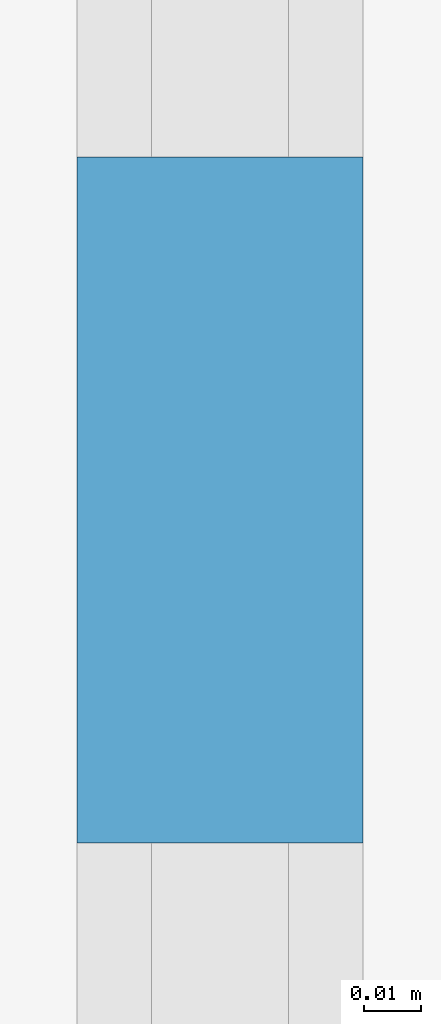
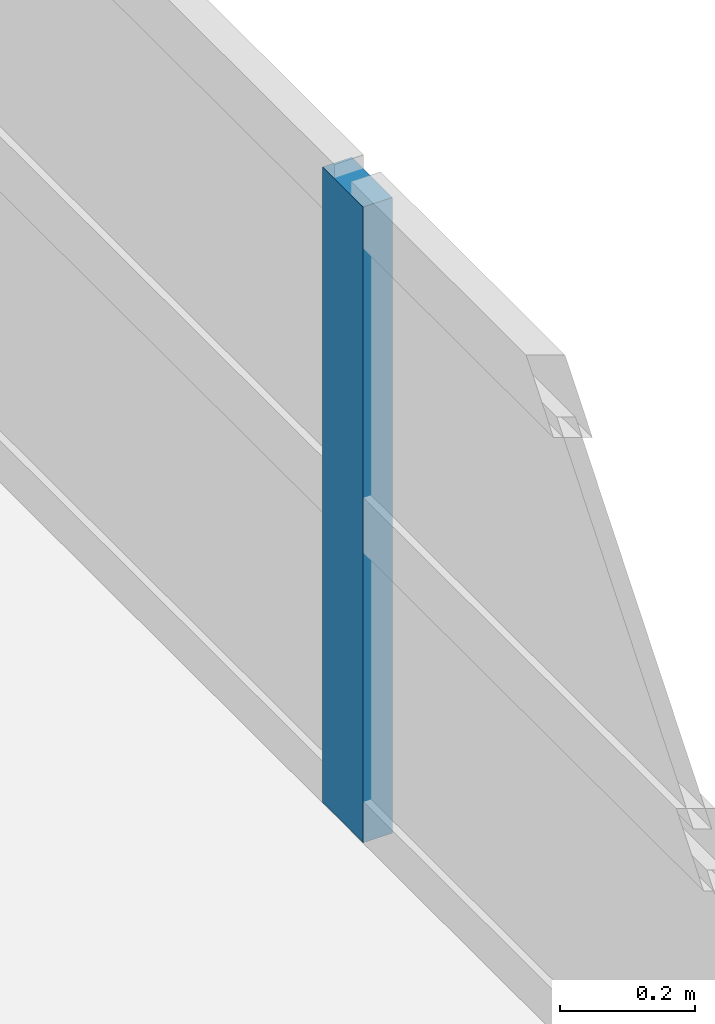
# One storey, part 8 of 17: 1 member, 1 element without a shape of its own.
"""IFC4 building model written with IfcOpenShell, lengths in metres."""

import ifcopenshell
import ifcopenshell.guid

model = None  # the IFC model being written
_history = None  # IfcOwnerHistory: only IFC2X3 demands one
_inside = {}  # id of a spatial element -> (the spatial element, [elements in it])
_under = {}  # id of a project, library or spatial element -> (it, [spatial elements below it])
_declared = {}  # id of a project -> (the project, [libraries it declares])
_typed = {}  # id of a type object -> (the type object, [elements of that type])
_made_of = {}  # id of a material, layer set ... -> (it, [elements and type objects made of it])


def new_model(schema):
    """Start an empty IFC model of exactly this schema.

    Asked for "IFC4X3", IfcOpenShell would pick the latest addendum, in which some entities
    have other attributes; the version numbers below select the first issue.
    IFC2X3 requires an IfcOwnerHistory on every rooted entity: one is made here for all.
    """
    global model, _history
    if schema == "IFC4X3":
        model = ifcopenshell.file(schema_version=(4, 3, 0, 0))
    else:
        model = ifcopenshell.file(schema=schema)
    _inside.clear()
    _under.clear()
    _declared.clear()
    _typed.clear()
    _made_of.clear()
    _history = None
    if model.schema == "IFC2X3":
        org = make("IfcOrganization", Name="unknown")
        user = make(
            "IfcPersonAndOrganization",
            ThePerson=make("IfcPerson", FamilyName="unknown"),
            TheOrganization=org,
        )
        app = make(
            "IfcApplication",
            ApplicationDeveloper=org,
            Version="unknown",
            ApplicationFullName="unknown",
            ApplicationIdentifier="unknown",
        )
        _history = make(
            "IfcOwnerHistory",
            OwningUser=user,
            OwningApplication=app,
            ChangeAction="ADDED",
            CreationDate=0,
        )
    return model


def make(cls, **values):
    """One entity of the class cls with the attributes given. An attribute that is None is left unset."""
    return model.create_entity(
        cls, **{name: value for name, value in values.items() if value is not None}
    )


def rooted(cls, **values):
    """An entity with a GlobalId (a new one), such as an element, a storey or a relation."""
    return make(cls, GlobalId=ifcopenshell.guid.new(), OwnerHistory=_history, **values)


def si_unit(unit_type, name, prefix=None):
    """IfcSIUnit, for example si_unit("LENGTHUNIT", "METRE", prefix="MILLI")."""
    return make("IfcSIUnit", UnitType=unit_type, Prefix=prefix, Name=name)


def assignment(units):
    """IfcUnitAssignment: the units of a project."""
    return None if units is None else make("IfcUnitAssignment", Units=units)


def point(xyz):
    """IfcCartesianPoint."""
    return None if xyz is None else make("IfcCartesianPoint", Coordinates=xyz)


def direction(xyz):
    """IfcDirection."""
    return None if xyz is None else make("IfcDirection", DirectionRatios=xyz)


def frame(location, z_axis=None, x_axis=None):
    """IfcAxis2Placement3D, a coordinate frame: its origin and axes. An axis left out is left unset."""
    return make(
        "IfcAxis2Placement3D",
        Location=point(location),
        Axis=direction(z_axis),
        RefDirection=direction(x_axis),
    )


def frame_2d(location, x_axis=None):
    """IfcAxis2Placement2D, a coordinate frame in the plane: its origin and x axis."""
    return make(
        "IfcAxis2Placement2D", Location=point(location), RefDirection=direction(x_axis)
    )


def origin():
    """The frame at (0, 0, 0) with its axes left unset."""
    return frame((0.0, 0.0, 0.0))


def origin_2d():
    """The frame at (0, 0) in the plane with its x axis left unset."""
    return frame_2d((0.0, 0.0))


def place(relative_to, where):
    """IfcLocalPlacement: puts the frame where relative to a parent placement (None: the world)."""
    return make(
        "IfcLocalPlacement", PlacementRelTo=relative_to, RelativePlacement=where
    )


def context(
    kind, dimensions, precision=None, world=None, true_north=None, identifier=None
):
    """IfcGeometricRepresentationContext, for example the 3D "Model" context."""
    return make(
        "IfcGeometricRepresentationContext",
        ContextIdentifier=identifier,
        ContextType=kind,
        CoordinateSpaceDimension=dimensions,
        Precision=precision,
        WorldCoordinateSystem=world,
        TrueNorth=true_north,
    )


def subcontext(parent, identifier, kind, view, scale=None):
    """IfcGeometricRepresentationSubContext, for example "Body" below "Model"."""
    return make(
        "IfcGeometricRepresentationSubContext",
        ContextIdentifier=identifier,
        ContextType=kind,
        ParentContext=parent,
        TargetScale=scale,
        TargetView=view,
    )


def project(units=None, contexts=None):
    """IfcProject with its units and contexts."""
    return rooted(
        "IfcProject",
        Name="project",
        RepresentationContexts=contexts,
        UnitsInContext=assignment(units),
    )


def spatial(cls, under=None, at=None, **own):
    """A site, building, storey or space (cls), placed at a placement, below another one or the project."""
    s = rooted(cls, ObjectPlacement=at, **own)
    if under is not None:
        _under.setdefault(under.id(), (under, []))[1].append(s)
    return s


def profile(cls, at=None, kind="AREA", **sizes):
    """A parametric profile (cls). Its sizes go by their IFC names, for example OverallWidth=200.0."""
    return make(cls, ProfileType=kind, Position=at, **sizes)


def rectangle(**sizes):
    """IfcRectangleProfileDef."""
    return profile("IfcRectangleProfileDef", **sizes)


def extrude(swept, where, along, depth):
    """IfcExtrudedAreaSolid: the profile swept, set in the frame where, extruded along a direction by depth."""
    return make(
        "IfcExtrudedAreaSolid",
        SweptArea=swept,
        Position=where,
        ExtrudedDirection=direction(along),
        Depth=depth,
    )


def shape(context_of_items, identifier, shape_type, items):
    """IfcShapeRepresentation: the items that make up one representation, for example the "Body"."""
    return make(
        "IfcShapeRepresentation",
        ContextOfItems=context_of_items,
        RepresentationIdentifier=identifier,
        RepresentationType=shape_type,
        Items=items,
    )


def source(mapping_origin, context_of_items, identifier, shape_type, items):
    """IfcRepresentationMap: a shape defined once, which mapped items show again and again."""
    return make(
        "IfcRepresentationMap",
        MappingOrigin=mapping_origin,
        MappedRepresentation=shape(context_of_items, identifier, shape_type, items),
    )


def transform(
    local_origin,
    x_axis=None,
    y_axis=None,
    z_axis=None,
    scale=None,
    scale2=None,
    scale3=None,
    uniform=True,
):
    """IfcCartesianTransformationOperator3D, or its non-uniform kind. x_axis, y_axis, z_axis: its Axis1, 2, 3."""
    if uniform:
        return make(
            "IfcCartesianTransformationOperator3D",
            Axis1=direction(x_axis),
            Axis2=direction(y_axis),
            LocalOrigin=point(local_origin),
            Scale=scale,
            Axis3=direction(z_axis),
        )
    return make(
        "IfcCartesianTransformationOperator3DnonUniform",
        Axis1=direction(x_axis),
        Axis2=direction(y_axis),
        LocalOrigin=point(local_origin),
        Scale=scale,
        Axis3=direction(z_axis),
        Scale2=scale2,
        Scale3=scale3,
    )


def mapped(mapping_source, mapping_target):
    """IfcMappedItem: shows the shape of a source again, moved by a transform."""
    return make(
        "IfcMappedItem", MappingSource=mapping_source, MappingTarget=mapping_target
    )


def material(Name=None, Category=None):
    """IfcMaterial."""
    return make("IfcMaterial", Name=Name, Category=Category)


def layer(
    of_material, thickness, ventilated=None, Name=None, Category=None, Priority=None
):
    """IfcMaterialLayer: one layer of a wall or slab, of a material (None: an air gap)."""
    return make(
        "IfcMaterialLayer",
        Material=of_material,
        LayerThickness=thickness,
        IsVentilated=ventilated,
        Name=Name,
        Category=Category,
        Priority=Priority,
    )


def layer_set(layers, Name=None):
    """IfcMaterialLayerSet."""
    return make("IfcMaterialLayerSet", MaterialLayers=layers, LayerSetName=Name)


def material_profile(
    of_material, cross_section, Name=None, Category=None, Priority=None
):
    """IfcMaterialProfile: a cross section and its material."""
    return make(
        "IfcMaterialProfile",
        Name=Name,
        Material=of_material,
        Profile=cross_section,
        Priority=Priority,
        Category=Category,
    )


def profile_set(profiles, Name=None, composite=None):
    """IfcMaterialProfileSet."""
    return make(
        "IfcMaterialProfileSet",
        Name=Name,
        MaterialProfiles=profiles,
        CompositeProfile=composite,
    )


def made_of(thing, what):
    """Note that an element or type object is made of a material, layer set ...; save() writes the relation."""
    if what is not None:
        _made_of.setdefault(what.id(), (what, []))[1].append(thing)
    return thing


def type_object(cls, material=None, **own):
    """A type object (cls), such as IfcWallType, which elements share."""
    return made_of(rooted(cls, **own), material)


def element(
    cls,
    number,
    at=None,
    inside=None,
    cuts=None,
    type_object=None,
    material=None,
    context=None,
    identifier="Body",
    shape_type=None,
    held_by="IfcProductDefinitionShape",
    body=None,
    shapes=None,
    **own,
):
    """One element of the class cls, such as IfcWall. Its Tag is "e" and its number.

    at: its placement. inside: the storey or other place that contains it. cuts: it is an
    opening in that element (IfcRelVoidsElement). A single representation is given by context,
    identifier, shape_type and body (its items); several are given by shapes. held_by: the class
    of the entity that holds the representations. save() writes the other relations.
    """
    e = rooted(cls, Tag="e%d" % number, ObjectPlacement=at, **own)
    if body is not None:
        shapes = [shape(context, identifier, shape_type, body)]
    if shapes is not None:
        e.Representation = make(held_by, Representations=shapes)
    if inside is not None:
        _inside.setdefault(inside.id(), (inside, []))[1].append(e)
    if cuts is not None:
        rooted(
            "IfcRelVoidsElement", RelatingBuildingElement=cuts, RelatedOpeningElement=e
        )
    if type_object is not None:
        _typed.setdefault(type_object.id(), (type_object, []))[1].append(e)
    return made_of(e, material)


def aggregate(whole, parts):
    """IfcRelAggregates: a whole, such as a stair, and the parts it consists of."""
    return rooted("IfcRelAggregates", RelatingObject=whole, RelatedObjects=parts)


def save(model, path):
    """Write the relations noted so far, then the file.

    IfcRelAggregates (storeys below a building ...), IfcRelContainedInSpatialStructure (elements
    in a storey), IfcRelDefinesByType, IfcRelAssociatesMaterial and IfcRelDeclares: one each for
    every whole, place, type object, material and project.
    """
    for whole, parts in _under.values():
        aggregate(whole, parts)
    for where, things in _inside.values():
        rooted(
            "IfcRelContainedInSpatialStructure",
            RelatedElements=things,
            RelatingStructure=where,
        )
    for kind, things in _typed.values():
        rooted("IfcRelDefinesByType", RelatedObjects=things, RelatingType=kind)
    for what, things in _made_of.values():
        rooted("IfcRelAssociatesMaterial", RelatedObjects=things, RelatingMaterial=what)
    for by, libraries in _declared.values():
        rooted("IfcRelDeclares", RelatingContext=by, RelatedDefinitions=libraries)
    model.write(path)


model = new_model("IFC4")

# Units and contexts
model_context = context("Model", 3, precision=1e-05, world=origin(), true_north=direction((0.0, 1.0)))
body_context = subcontext(model_context, "Body", "Model", "MODEL_VIEW")
ifc_project = project(units=[si_unit("LENGTHUNIT", "METRE"), si_unit("AREAUNIT", "SQUARE_METRE"), si_unit("VOLUMEUNIT", "CUBIC_METRE"), si_unit("PLANEANGLEUNIT", "RADIAN"), si_unit("MASSUNIT", "GRAM", prefix="KILO")], contexts=[model_context])

# Site, building, storey
site_placement = place(None, origin())
site = spatial("IfcSite", under=ifc_project, at=site_placement, CompositionType="ELEMENT")
building_placement = place(site_placement, origin())
building = spatial("IfcBuilding", under=site, at=building_placement, Name="Saffron Iwan Residences", CompositionType="ELEMENT")
storey_placement = place(building_placement, frame((0.0, 0.0, 274.5)))
storey = spatial("IfcBuildingStorey", under=building, at=storey_placement, Name="L74", CompositionType="ELEMENT", Elevation=274.5)

# Curtain wall, member
ifc_material_1 = material(Name="Clear glass, laminated double glazed", Category="glass")
ifc_layer = layer(ifc_material_1, 0.10009765625)
ifc_layer_set = layer_set([ifc_layer], Name="Clear glass, laminated double glazed")
curtain_wall_type = type_object("IfcCurtainWallType", Name="CW-F ROOF TERRACE GLAZED GUARD", PredefinedType="NOTDEFINED", material=ifc_layer_set)
curtain_wall_placement = place(storey_placement, origin())
curtain_wall = element("IfcCurtainWall", 1, at=curtain_wall_placement, inside=storey, type_object=curtain_wall_type, Name="Glazed terrace guard F2.4", PredefinedType="NOTDEFINED")
ifc_material_2 = material(Name="Aluminium 6063-T6", Category="aluminium")
ifc_material_profile = material_profile(ifc_material_2, rectangle(XDim=0.050048828125, YDim=0.1201171875, at=origin_2d()), Name="CW-F MULLION 50 x 120")
ifc_profile_set = profile_set([ifc_material_profile], Name="Aluminium 6063-T6")
member_type = type_object("IfcMemberType", Name="CW-F MULLION 50 x 120", PredefinedType="MULLION", material=ifc_profile_set)
shared_shape = source(origin(), body_context, "Body", "SweptSolid", [
    extrude(rectangle(XDim=0.050048828125, YDim=0.1201171875, at=origin_2d()), origin(), (0.0, 0.0, 1.0), 1.14990234375),
])
member_placement = place(storey_placement, frame((82.324951171875, 55.199951171875, 0.0), z_axis=(0.0, 0.0, 1.0), x_axis=(-1.0, 0.0, 0.0)))
member = element("IfcMember", 2, at=member_placement, type_object=member_type, Name="CW-F mullion 4", PredefinedType="MULLION", context=body_context, shape_type="MappedRepresentation", body=[
    mapped(shared_shape, transform((0.0, 0.0, 0.0))),
])
aggregate(curtain_wall, [member])

save(model, "model.ifc")
